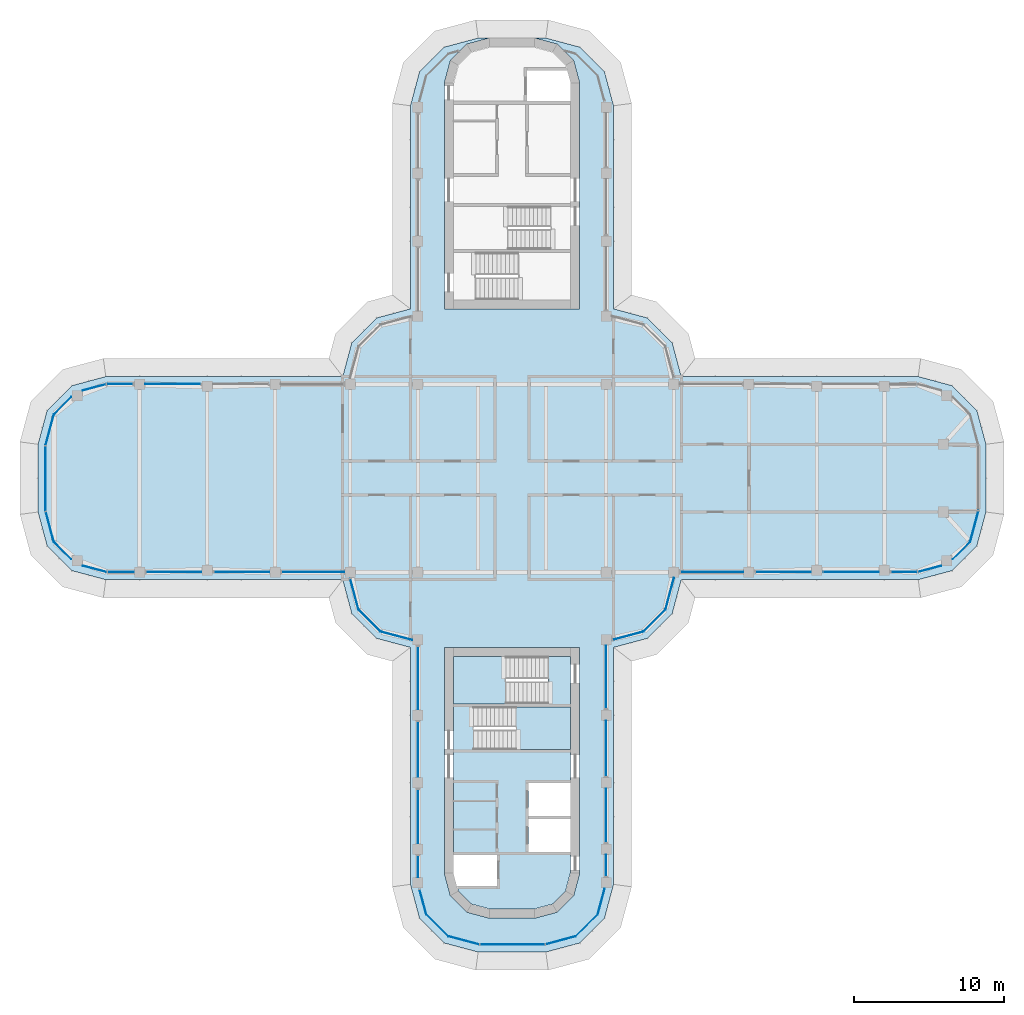
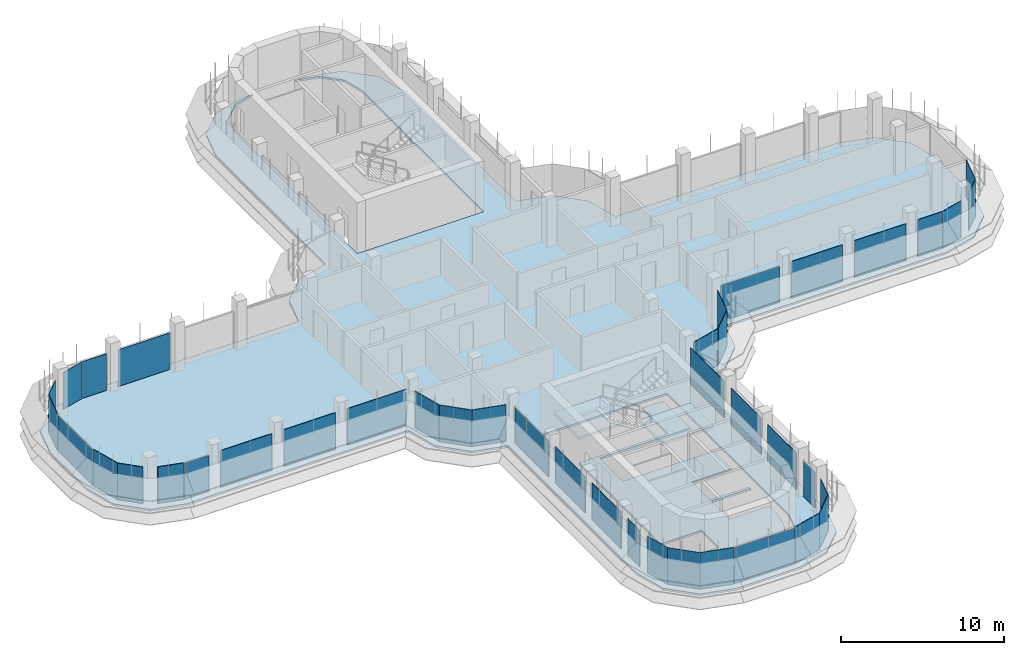
# One storey, part 11 of 19: 41 plates, 4 slabs, 30 elements without a shape of their own.
"""IFC4 building model written with IfcOpenShell, lengths in metres."""

from ifc_helpers import new_model, si_unit, direction, frame, origin, place, context, subcontext, project, spatial, polyline, outline, extrude, source, transform, mapped, material, layer, layer_set, type_object, element, aggregate, save


model = new_model("IFC4")

# Units and contexts
model_context = context("Model", 3, precision=1e-05, world=origin(), true_north=direction((0.0, 1.0)))
body_context = subcontext(model_context, "Body", "Model", "MODEL_VIEW")
ifc_project = project(units=[si_unit("LENGTHUNIT", "METRE"), si_unit("AREAUNIT", "SQUARE_METRE"), si_unit("VOLUMEUNIT", "CUBIC_METRE"), si_unit("PLANEANGLEUNIT", "RADIAN"), si_unit("MASSUNIT", "GRAM", prefix="KILO")], contexts=[model_context])

# Site, building, storey
site_placement = place(None, origin())
site = spatial("IfcSite", under=ifc_project, at=site_placement, CompositionType="ELEMENT")
building_placement = place(site_placement, origin())
building = spatial("IfcBuilding", under=site, at=building_placement, Name="Zarbagh Exchange Tower", CompositionType="ELEMENT")
storey_placement = place(building_placement, frame((0.0, 0.0, 241.0)))
storey = spatial("IfcBuildingStorey", under=building, at=storey_placement, Name="L59", CompositionType="ELEMENT", Elevation=241.0)

# Slabs
ifc_material_1 = material(Name="Concrete C40/50", Category="concrete")
ifc_layer_1 = layer(ifc_material_1, 0.14990234375)
ifc_layer_set_1 = layer_set([ifc_layer_1], Name="Composite floor slab 150 C40/50")
slab_type_1 = type_object("IfcSlabType", Name="Composite floor slab 150 C40/50", PredefinedType="FLOOR", material=ifc_layer_set_1)
slab_1_placement = place(storey_placement, frame((0.0, 0.0, -0.14990234375)))
element("IfcSlab", 1, at=slab_1_placement, inside=storey, type_object=slab_type_1, Name="S5 composite floor slab", PredefinedType="FLOOR", context=body_context, shape_type="SweptSolid", body=[
    extrude(outline(polyline([(-2.25, -31.5), (-4.5, -30.897216796875), (-6.147216796875, -29.25), (-6.75, -27.0), (-6.75, -11.25), (-9.0, -10.647216796875), (-10.647216796875, -9.0), (-11.25, -6.75), (-27.0, -6.75), (-29.25, -6.147216796875), (-30.897216796875, -4.5), (-31.5, -2.25), (-31.5, 2.25), (-30.897216796875, 4.5), (-29.25, 6.147216796875), (-27.0, 6.75), (-11.25, 6.75), (-10.647216796875, 9.0), (-9.0, 10.647216796875), (-6.75, 11.25), (-6.75, 24.75), (-6.147216796875, 27.0), (-4.5, 28.647216796875), (-2.25, 29.25), (-1.5, 29.25), (-3.0, 28.84814453125), (-4.09814453125, 27.75), (-4.5, 26.25), (-4.5, 11.25), (4.5, 11.25), (4.5, 26.25), (4.09814453125, 27.75), (3.0, 28.84814453125), (1.5, 29.25), (2.25, 29.25), (4.5, 28.647216796875), (6.147216796875, 27.0), (6.75, 24.75), (6.75, 11.25), (9.0, 10.647216796875), (10.647216796875, 9.0), (11.25, 6.75), (27.0, 6.75), (29.25, 6.147216796875), (30.897216796875, 4.5), (31.5, 2.25), (31.5, -2.25), (30.897216796875, -4.5), (29.25, -6.147216796875), (27.0, -6.75), (11.25, -6.75), (10.647216796875, -9.0), (9.0, -10.647216796875), (6.75, -11.25), (6.75, -27.0), (6.147216796875, -29.25), (4.5, -30.897216796875), (2.25, -31.5), (-2.25, -31.5)]), holes=[polyline([(-1.5, -29.25), (1.5, -29.25), (3.0, -28.84814453125), (4.09814453125, -27.75), (4.5, -26.25), (4.5, -11.25), (-4.5, -11.25), (-4.5, -26.25), (-4.09814453125, -27.75), (-3.0, -28.84814453125), (-1.5, -29.25)])]), origin(), (0.0, 0.0, 1.0), 0.14990234375),
])
ifc_layer_2 = layer(ifc_material_1, 0.14990234375)
ifc_layer_set_2 = layer_set([ifc_layer_2], Name="Core floor slab 150 C40/50")
slab_type_2 = type_object("IfcSlabType", Name="Core floor slab 150 C40/50", PredefinedType="FLOOR", material=ifc_layer_set_2)
slab_2_placement = place(storey_placement, frame((0.0, 0.0, -0.14990234375)))
element("IfcSlab", 2, at=slab_2_placement, inside=storey, type_object=slab_type_2, Name="S17 core S", PredefinedType="FLOOR", context=body_context, shape_type="SweptSolid", body=[
    extrude(outline(polyline([(-2.689453125, -28.31005859375), (-3.56005859375, -27.439453125), (-3.651123046875, -27.10009765625), (-1.0, -27.10009765625), (-1.0, -25.050048828125), (-3.89990234375, -25.050048828125), (-3.89990234375, -15.0), (2.39990234375, -15.0), (2.39990234375, -11.85009765625), (3.89990234375, -11.85009765625), (3.89990234375, -15.199951171875), (-2.550048828125, -15.199951171875), (-2.550048828125, -18.050048828125), (3.89990234375, -18.050048828125), (3.89990234375, -20.25), (1.10009765625, -20.25), (1.10009765625, -22.449951171875), (3.89990234375, -22.449951171875), (3.89990234375, -22.64990234375), (1.10009765625, -22.64990234375), (1.10009765625, -24.85009765625), (3.89990234375, -24.85009765625), (3.89990234375, -26.1708984375), (3.56005859375, -27.439453125), (2.689453125, -28.31005859375), (1.4208984375, -28.64990234375), (-1.4208984375, -28.64990234375), (-2.689453125, -28.31005859375)])), origin(), (0.0, 0.0, 1.0), 0.14990234375),
])

# Stair, slab
stair_type = type_object("IfcStairType", Name="Exit stair two-flight half-turn", PredefinedType="HALF_TURN_STAIR", material=ifc_material_1)
stair_1_placement = place(storey_placement, origin())
stair_1 = element("IfcStair", 3, at=stair_1_placement, inside=storey, type_object=stair_type, Name="exit stair ST3", PredefinedType="HALF_TURN_STAIR")
ifc_layer_3 = layer(ifc_material_1, 0.199951171875)
ifc_layer_set_3 = layer_set([ifc_layer_3], Name="Stair landing 200 mm")
slab_type_3 = type_object("IfcSlabType", Name="Stair landing 200 mm", PredefinedType="LANDING", material=ifc_layer_set_3)
slab_3_placement = place(storey_placement, frame((0.0, 0.0, 1.699951171875)))
slab_3 = element("IfcSlab", 4, at=slab_3_placement, type_object=slab_type_3, Name="ST3 landing 1", PredefinedType="LANDING", context=body_context, shape_type="SweptSolid", body=[
    extrude(outline(polyline([(0.25, -18.050048828125), (3.89990234375, -18.050048828125), (3.89990234375, -15.199951171875), (0.25, -15.199951171875), (0.25, -18.050048828125)])), origin(), (0.0, 0.0, 1.0), 0.199951171875),
])
aggregate(stair_1, [slab_3])

stair_2_placement = place(storey_placement, origin())
stair_2 = element("IfcStair", 5, at=stair_2_placement, inside=storey, type_object=stair_type, Name="exit stair ST4", PredefinedType="HALF_TURN_STAIR")
slab_4_placement = place(storey_placement, frame((0.0, 0.0, 1.699951171875)))
slab_4 = element("IfcSlab", 6, at=slab_4_placement, type_object=slab_type_3, Name="ST4 landing 1", PredefinedType="LANDING", context=body_context, shape_type="SweptSolid", body=[
    extrude(outline(polyline([(-0.39990234375, -11.85009765625), (-3.89990234375, -11.85009765625), (-3.89990234375, -15.0), (-0.39990234375, -15.0), (-0.39990234375, -11.85009765625)])), origin(), (0.0, 0.0, 1.0), 0.199951171875),
])
aggregate(stair_2, [slab_4])

# Curtain wall, plate
ifc_material_2 = material(Name="Anodised aluminium frame and glazing", Category="aluminium")
curtain_wall_type = type_object("IfcCurtainWallType", Name="CWB Ribbon glazing, upper zones", PredefinedType="NOTDEFINED", material=ifc_material_2)
curtain_wall_1_placement = place(storey_placement, origin())
curtain_wall_1 = element("IfcCurtainWall", 7, at=curtain_wall_1_placement, inside=storey, type_object=curtain_wall_type, Name="CWB50 curtain wall", PredefinedType="NOTDEFINED")
ifc_material_3 = material(Name="Low-e double glazed unit, 6+12+6 mm")
ifc_layer_4 = layer(ifc_material_3, 0.031982421875)
ifc_layer_set_4 = layer_set([ifc_layer_4], Name="PAB Glazing panel, Low-e double glazed unit, 6+12+6 mm")
plate_type = type_object("IfcPlateType", Name="PAB Glazing panel, Low-e double glazed unit, 6+12+6 mm", PredefinedType="CURTAIN_PANEL", material=ifc_layer_set_4)
shared_shape_1 = source(origin(), body_context, "Body", "SweptSolid", [
    extrude(outline(polyline([(0.0, -0.01611328125), (2.061279296875, -0.01611328125), (2.061279296875, 0.01611328125), (0.0, 0.01611328125), (0.0, -0.01611328125)])), origin(), (0.0, 0.0, 1.0), 2.75),
])
placement = place(storey_placement, origin())
plate_1 = element("IfcPlate", 8, at=placement, type_object=plate_type, Name="CWB50 glazing panel 1.1", PredefinedType="CURTAIN_PANEL", context=body_context, shape_type="MappedRepresentation", body=[
    mapped(shared_shape_1, transform((4.2412109375, -30.44873046875, 0.0), x_axis=(0.707106781187, 0.707106781187, 0.0), y_axis=(-0.707106781187, 0.707106781187, 0.0), z_axis=(0.0, 0.0, 1.0))),
])
aggregate(curtain_wall_1, [plate_1])

curtain_wall_2_placement = place(storey_placement, origin())
curtain_wall_2 = element("IfcCurtainWall", 9, at=curtain_wall_2_placement, inside=storey, type_object=curtain_wall_type, Name="CWB06 curtain wall", PredefinedType="NOTDEFINED")
plate_2 = element("IfcPlate", 10, at=placement, type_object=plate_type, Name="CWB06 glazing panel 1.1", PredefinedType="CURTAIN_PANEL", context=body_context, shape_type="MappedRepresentation", body=[
    mapped(shared_shape_1, transform((8.7412109375, -10.19873046875, 0.0), x_axis=(0.707106781187, 0.707106781187, 0.0), y_axis=(-0.707106781187, 0.707106781187, 0.0), z_axis=(0.0, 0.0, 1.0))),
])
aggregate(curtain_wall_2, [plate_2])

curtain_wall_3_placement = place(storey_placement, origin())
curtain_wall_3 = element("IfcCurtainWall", 11, at=curtain_wall_3_placement, inside=storey, type_object=curtain_wall_type, Name="CWB42 curtain wall", PredefinedType="NOTDEFINED")
plate_3 = element("IfcPlate", 12, at=placement, type_object=plate_type, Name="CWB42 glazing panel 1.1", PredefinedType="CURTAIN_PANEL", context=body_context, shape_type="MappedRepresentation", body=[
    mapped(shared_shape_1, transform((-10.19873046875, -8.7412109375, 0.0), x_axis=(0.707106781187, -0.707106781187, 0.0), y_axis=(0.707106781187, 0.707106781187, 0.0), z_axis=(0.0, 0.0, 1.0))),
])
aggregate(curtain_wall_3, [plate_3])

curtain_wall_4_placement = place(storey_placement, origin())
curtain_wall_4 = element("IfcCurtainWall", 13, at=curtain_wall_4_placement, inside=storey, type_object=curtain_wall_type, Name="CWB55 curtain wall", PredefinedType="NOTDEFINED")
plate_4 = element("IfcPlate", 14, at=placement, type_object=plate_type, Name="CWB55 glazing panel 1.1", PredefinedType="CURTAIN_PANEL", context=body_context, shape_type="MappedRepresentation", body=[
    mapped(shared_shape_1, transform((-5.69873046875, -28.9912109375, 0.0), x_axis=(0.707106781187, -0.707106781187, 0.0), y_axis=(0.707106781187, 0.707106781187, 0.0), z_axis=(0.0, 0.0, 1.0))),
])
aggregate(curtain_wall_4, [plate_4])

curtain_wall_5_placement = place(storey_placement, origin())
curtain_wall_5 = element("IfcCurtainWall", 15, at=curtain_wall_5_placement, inside=storey, type_object=curtain_wall_type, Name="CWB11 curtain wall", PredefinedType="NOTDEFINED")
shared_shape_2 = source(origin(), body_context, "Body", "SweptSolid", [
    extrude(outline(polyline([(0.0, -0.01611328125), (2.129638671875, -0.01611328125), (2.129638671875, 0.01611328125), (0.0, 0.01611328125), (0.0, -0.01611328125)])), origin(), (0.0, 0.0, 1.0), 2.75),
])
plate_5 = element("IfcPlate", 16, at=placement, type_object=plate_type, Name="CWB11 glazing panel 1.1", PredefinedType="CURTAIN_PANEL", context=body_context, shape_type="MappedRepresentation", body=[
    mapped(shared_shape_2, transform((30.44873046875, -4.2412109375, 0.0), x_axis=(0.258824779902, 0.965924289636, 0.0), y_axis=(-0.965924289636, 0.258824779902, 0.0), z_axis=(0.0, 0.0, 1.0))),
])
aggregate(curtain_wall_5, [plate_5])

curtain_wall_6_placement = place(storey_placement, origin())
curtain_wall_6 = element("IfcCurtainWall", 17, at=curtain_wall_6_placement, inside=storey, type_object=curtain_wall_type, Name="CWB61 curtain wall", PredefinedType="NOTDEFINED")
plate_6 = element("IfcPlate", 18, at=placement, type_object=plate_type, Name="CWB61 glazing panel 1.1", PredefinedType="CURTAIN_PANEL", context=body_context, shape_type="MappedRepresentation", body=[
    mapped(shared_shape_2, transform((-30.44873046875, 4.2412109375, 0.0), x_axis=(-0.258824779902, -0.965924289636, 0.0), y_axis=(0.965924289636, -0.258824779902, 0.0), z_axis=(0.0, 0.0, 1.0))),
])
aggregate(curtain_wall_6, [plate_6])

curtain_wall_7_placement = place(storey_placement, origin())
curtain_wall_7 = element("IfcCurtainWall", 19, at=curtain_wall_7_placement, inside=storey, type_object=curtain_wall_type, Name="CWB56 curtain wall", PredefinedType="NOTDEFINED")
plate_7 = element("IfcPlate", 20, at=placement, type_object=plate_type, Name="CWB56 glazing panel 1.1", PredefinedType="CURTAIN_PANEL", context=body_context, shape_type="MappedRepresentation", body=[
    mapped(shared_shape_2, transform((-4.2412109375, -30.44873046875, 0.0), x_axis=(0.965924289636, -0.258824779902, 0.0), y_axis=(0.258824779902, 0.965924289636, 0.0), z_axis=(0.0, 0.0, 1.0))),
])
aggregate(curtain_wall_7, [plate_7])

curtain_wall_8_placement = place(storey_placement, origin())
curtain_wall_8 = element("IfcCurtainWall", 21, at=curtain_wall_8_placement, inside=storey, type_object=curtain_wall_type, Name="CWB52 curtain wall", PredefinedType="NOTDEFINED")
shared_shape_3 = source(origin(), body_context, "Body", "SweptSolid", [
    extrude(outline(polyline([(0.0, -0.01611328125), (3.56005859375, -0.01611328125), (3.56005859375, 0.01611328125), (0.0, 0.01611328125), (0.0, -0.01611328125)])), origin(), (0.0, 0.0, 1.0), 2.75),
])
plate_8 = element("IfcPlate", 22, at=placement, type_object=plate_type, Name="CWB52 glazing panel 2.1", PredefinedType="CURTAIN_PANEL", context=body_context, shape_type="MappedRepresentation", body=[
    mapped(shared_shape_3, transform((6.25, -24.199951171875, 0.0), x_axis=(0.0, 1.0, 0.0), y_axis=(-1.0, 0.0, 0.0), z_axis=(0.0, 0.0, 1.0))),
])

curtain_wall_9_placement = place(storey_placement, origin())
curtain_wall_9 = element("IfcCurtainWall", 23, at=curtain_wall_9_placement, inside=storey, type_object=curtain_wall_type, Name="CWB53 curtain wall", PredefinedType="NOTDEFINED")
plate_9 = element("IfcPlate", 24, at=placement, type_object=plate_type, Name="CWB53 glazing panel 3.1", PredefinedType="CURTAIN_PANEL", context=body_context, shape_type="MappedRepresentation", body=[
    mapped(shared_shape_3, transform((-6.25, -20.699951171875, 0.0), x_axis=(0.0, -1.0, 0.0), y_axis=(1.0, 0.0, 0.0), z_axis=(0.0, 0.0, 1.0))),
])

curtain_wall_10_placement = place(storey_placement, origin())
curtain_wall_10 = element("IfcCurtainWall", 25, at=curtain_wall_10_placement, inside=storey, type_object=curtain_wall_type, Name="CWB66 curtain wall", PredefinedType="NOTDEFINED")
shared_shape_4 = source(origin(), body_context, "Body", "SweptSolid", [
    extrude(outline(polyline([(0.0, -0.01611328125), (4.308349609375, -0.01611328125), (4.308349609375, 0.01611328125), (0.0, 0.01611328125), (0.0, -0.01611328125)])), origin(), (0.0, 0.0, 1.0), 2.68994140625),
])
plate_10 = element("IfcPlate", 26, at=placement, type_object=plate_type, Name="CWB66 glazing panel 1.1", PredefinedType="CURTAIN_PANEL", context=body_context, shape_type="MappedRepresentation", body=[
    mapped(shared_shape_4, transform((-31.0, 2.124267578125, 0.0), x_axis=(0.0, -1.0, 0.0), y_axis=(1.0, 0.0, 0.0), z_axis=(0.0, 0.0, 1.0))),
])
aggregate(curtain_wall_10, [plate_10])

curtain_wall_11_placement = place(storey_placement, origin())
curtain_wall_11 = element("IfcCurtainWall", 27, at=curtain_wall_11_placement, inside=storey, type_object=curtain_wall_type, Name="CWB57 curtain wall", PredefinedType="NOTDEFINED")
plate_11 = element("IfcPlate", 28, at=placement, type_object=plate_type, Name="CWB57 glazing panel 1.1", PredefinedType="CURTAIN_PANEL", context=body_context, shape_type="MappedRepresentation", body=[
    mapped(shared_shape_4, transform((-2.124267578125, -31.0, 0.0), x_axis=(1.0, 0.0, 0.0), y_axis=(0.0, 1.0, 0.0), z_axis=(0.0, 0.0, 1.0))),
])
aggregate(curtain_wall_11, [plate_11])

curtain_wall_12_placement = place(storey_placement, origin())
curtain_wall_12 = element("IfcCurtainWall", 29, at=curtain_wall_12_placement, inside=storey, type_object=curtain_wall_type, Name="CWB49 curtain wall", PredefinedType="NOTDEFINED")
shared_shape_5 = source(origin(), body_context, "Body", "SweptSolid", [
    extrude(outline(polyline([(0.0, -0.01611328125), (2.069580078125, -0.01611328125), (2.069580078125, 0.01611328125), (0.0, 0.01611328125), (0.0, -0.01611328125)])), origin(), (0.0, 0.0, 1.0), 2.75),
])
plate_12 = element("IfcPlate", 30, at=placement, type_object=plate_type, Name="CWB49 glazing panel 1.1", PredefinedType="CURTAIN_PANEL", context=body_context, shape_type="MappedRepresentation", body=[
    mapped(shared_shape_5, transform((2.2421875, -30.984375, 0.0), x_axis=(0.965924289636, 0.258824779902, 0.0), y_axis=(-0.258824779902, 0.965924289636, 0.0), z_axis=(0.0, 0.0, 1.0))),
])
aggregate(curtain_wall_12, [plate_12])

curtain_wall_13_placement = place(storey_placement, origin())
curtain_wall_13 = element("IfcCurtainWall", 31, at=curtain_wall_13_placement, inside=storey, type_object=curtain_wall_type, Name="CWB62 curtain wall", PredefinedType="NOTDEFINED")
plate_13 = element("IfcPlate", 32, at=placement, type_object=plate_type, Name="CWB62 glazing panel 1.1", PredefinedType="CURTAIN_PANEL", context=body_context, shape_type="MappedRepresentation", body=[
    mapped(shared_shape_5, transform((-30.984375, -2.2421875, 0.0), x_axis=(0.258824779902, -0.965924289636, 0.0), y_axis=(0.965924289636, 0.258824779902, 0.0), z_axis=(0.0, 0.0, 1.0))),
])
aggregate(curtain_wall_13, [plate_13])

curtain_wall_14_placement = place(storey_placement, origin())
curtain_wall_14 = element("IfcCurtainWall", 33, at=curtain_wall_14_placement, inside=storey, type_object=curtain_wall_type, Name="CWB51 curtain wall", PredefinedType="NOTDEFINED")
shared_shape_6 = source(origin(), body_context, "Body", "SweptSolid", [
    extrude(outline(polyline([(0.0, -0.01611328125), (1.76123046875, -0.01611328125), (1.76123046875, 0.01611328125), (0.0, 0.01611328125), (0.0, -0.01611328125)])), origin(), (0.0, 0.0, 1.0), 2.75),
])
plate_14 = element("IfcPlate", 34, at=placement, type_object=plate_type, Name="CWB51 glazing panel 1.1", PredefinedType="CURTAIN_PANEL", context=body_context, shape_type="MappedRepresentation", body=[
    mapped(shared_shape_6, transform((5.69873046875, -28.9912109375, 0.0), x_axis=(0.258824779902, 0.965924289636, 0.0), y_axis=(-0.965924289636, 0.258824779902, 0.0), z_axis=(0.0, 0.0, 1.0))),
])
aggregate(curtain_wall_14, [plate_14])

# Plate
shared_shape_7 = source(origin(), body_context, "Body", "SweptSolid", [
    extrude(outline(polyline([(0.0, -0.01611328125), (1.409912109375, -0.01611328125), (1.409912109375, 0.01611328125), (0.0, 0.01611328125), (0.0, -0.01611328125)])), origin(), (0.0, 0.0, 1.0), 2.68994140625),
])
plate_15 = element("IfcPlate", 35, at=placement, type_object=plate_type, Name="CWB52 glazing panel 1.1", PredefinedType="CURTAIN_PANEL", context=body_context, shape_type="MappedRepresentation", body=[
    mapped(shared_shape_7, transform((6.25, -26.449951171875, 0.0), x_axis=(0.0, 1.0, 0.0), y_axis=(-1.0, 0.0, 0.0), z_axis=(0.0, 0.0, 1.0))),
])

shared_shape_8 = source(origin(), body_context, "Body", "SweptSolid", [
    extrude(outline(polyline([(0.0, -0.01611328125), (3.659912109375, -0.01611328125), (3.659912109375, 0.01611328125), (0.0, 0.01611328125), (0.0, -0.01611328125)])), origin(), (0.0, 0.0, 1.0), 2.75),
])
plate_16 = element("IfcPlate", 36, at=placement, type_object=plate_type, Name="CWB52 glazing panel 3.1", PredefinedType="CURTAIN_PANEL", context=body_context, shape_type="MappedRepresentation", body=[
    mapped(shared_shape_8, transform((6.25, -19.800048828125, 0.0), x_axis=(0.0, 1.0, 0.0), y_axis=(-1.0, 0.0, 0.0), z_axis=(0.0, 0.0, 1.0))),
])

# Curtain wall, plates
curtain_wall_15_placement = place(storey_placement, origin())
curtain_wall_15 = element("IfcCurtainWall", 37, at=curtain_wall_15_placement, inside=storey, type_object=curtain_wall_type, Name="CWB08 curtain wall", PredefinedType="NOTDEFINED")
plate_17 = element("IfcPlate", 38, at=placement, type_object=plate_type, Name="CWB08 glazing panel 2.1", PredefinedType="CURTAIN_PANEL", context=body_context, shape_type="MappedRepresentation", body=[
    mapped(shared_shape_8, transform((16.199951171875, -6.25, 0.0), x_axis=(1.0, 0.0, 0.0), y_axis=(0.0, 1.0, 0.0), z_axis=(0.0, 0.0, 1.0))),
])
plate_18 = element("IfcPlate", 39, at=placement, type_object=plate_type, Name="CWB08 glazing panel 3.1", PredefinedType="CURTAIN_PANEL", context=body_context, shape_type="MappedRepresentation", body=[
    mapped(shared_shape_8, transform((20.699951171875, -6.25, 0.0), x_axis=(1.0, 0.0, 0.0), y_axis=(0.0, 1.0, 0.0), z_axis=(0.0, 0.0, 1.0))),
])

# Curtain wall, plate
curtain_wall_16_placement = place(storey_placement, origin())
curtain_wall_16 = element("IfcCurtainWall", 40, at=curtain_wall_16_placement, inside=storey, type_object=curtain_wall_type, Name="CWB58 curtain wall", PredefinedType="NOTDEFINED")
plate_19 = element("IfcPlate", 41, at=placement, type_object=plate_type, Name="CWB58 glazing panel 3.1", PredefinedType="CURTAIN_PANEL", context=body_context, shape_type="MappedRepresentation", body=[
    mapped(shared_shape_8, transform((-20.699951171875, 6.25, 0.0), x_axis=(-1.0, 0.0, 0.0), y_axis=(0.0, -1.0, 0.0), z_axis=(0.0, 0.0, 1.0))),
])

# Curtain wall, plates
curtain_wall_17_placement = place(storey_placement, origin())
curtain_wall_17 = element("IfcCurtainWall", 42, at=curtain_wall_17_placement, inside=storey, type_object=curtain_wall_type, Name="CWB65 curtain wall", PredefinedType="NOTDEFINED")
plate_20 = element("IfcPlate", 43, at=placement, type_object=plate_type, Name="CWB65 glazing panel 2.1", PredefinedType="CURTAIN_PANEL", context=body_context, shape_type="MappedRepresentation", body=[
    mapped(shared_shape_8, transform((-24.300048828125, -6.25, 0.0), x_axis=(1.0, 0.0, 0.0), y_axis=(0.0, 1.0, 0.0), z_axis=(0.0, 0.0, 1.0))),
])
plate_21 = element("IfcPlate", 44, at=placement, type_object=plate_type, Name="CWB65 glazing panel 3.1", PredefinedType="CURTAIN_PANEL", context=body_context, shape_type="MappedRepresentation", body=[
    mapped(shared_shape_8, transform((-19.800048828125, -6.25, 0.0), x_axis=(1.0, 0.0, 0.0), y_axis=(0.0, 1.0, 0.0), z_axis=(0.0, 0.0, 1.0))),
])

# Plate
plate_22 = element("IfcPlate", 45, at=placement, type_object=plate_type, Name="CWB53 glazing panel 2.1", PredefinedType="CURTAIN_PANEL", context=body_context, shape_type="MappedRepresentation", body=[
    mapped(shared_shape_8, transform((-6.25, -16.199951171875, 0.0), x_axis=(0.0, -1.0, 0.0), y_axis=(1.0, 0.0, 0.0), z_axis=(0.0, 0.0, 1.0))),
])

shared_shape_9 = source(origin(), body_context, "Body", "SweptSolid", [
    extrude(outline(polyline([(0.0, -0.01611328125), (4.159912109375, -0.01611328125), (4.159912109375, 0.01611328125), (0.0, 0.01611328125), (0.0, -0.01611328125)])), origin(), (0.0, 0.0, 1.0), 2.75),
])
plate_23 = element("IfcPlate", 46, at=placement, type_object=plate_type, Name="CWB52 glazing panel 4.1", PredefinedType="CURTAIN_PANEL", context=body_context, shape_type="MappedRepresentation", body=[
    mapped(shared_shape_9, transform((6.25, -15.300048828125, 0.0), x_axis=(0.0, 1.0, 0.0), y_axis=(-1.0, 0.0, 0.0), z_axis=(0.0, 0.0, 1.0))),
])

aggregate(curtain_wall_8, [plate_15, plate_8, plate_16, plate_23])

plate_24 = element("IfcPlate", 47, at=placement, type_object=plate_type, Name="CWB65 glazing panel 4.1", PredefinedType="CURTAIN_PANEL", context=body_context, shape_type="MappedRepresentation", body=[
    mapped(shared_shape_9, transform((-15.300048828125, -6.25, 0.0), x_axis=(1.0, 0.0, 0.0), y_axis=(0.0, 1.0, 0.0), z_axis=(0.0, 0.0, 1.0))),
])

# Curtain wall, plate
curtain_wall_18_placement = place(storey_placement, origin())
curtain_wall_18 = element("IfcCurtainWall", 48, at=curtain_wall_18_placement, inside=storey, type_object=curtain_wall_type, Name="CWB05 curtain wall", PredefinedType="NOTDEFINED")
shared_shape_10 = source(origin(), body_context, "Body", "SweptSolid", [
    extrude(outline(polyline([(0.0, -0.01611328125), (2.115234375, -0.01611328125), (2.115234375, 0.01611328125), (0.0, 0.01611328125), (0.0, -0.01611328125)])), origin(), (0.0, 0.0, 1.0), 2.75),
])
plate_25 = element("IfcPlate", 49, at=placement, type_object=plate_type, Name="CWB05 glazing panel 1.1", PredefinedType="CURTAIN_PANEL", context=body_context, shape_type="MappedRepresentation", body=[
    mapped(shared_shape_10, transform((6.697998046875, -10.746337890625, 0.0), x_axis=(0.965924289636, 0.258824779902, 0.0), y_axis=(-0.258824779902, 0.965924289636, 0.0), z_axis=(0.0, 0.0, 1.0))),
])
aggregate(curtain_wall_18, [plate_25])

curtain_wall_19_placement = place(storey_placement, origin())
curtain_wall_19 = element("IfcCurtainWall", 50, at=curtain_wall_19_placement, inside=storey, type_object=curtain_wall_type, Name="CWB41 curtain wall", PredefinedType="NOTDEFINED")
plate_26 = element("IfcPlate", 51, at=placement, type_object=plate_type, Name="CWB41 glazing panel 1.1", PredefinedType="CURTAIN_PANEL", context=body_context, shape_type="MappedRepresentation", body=[
    mapped(shared_shape_10, transform((-10.746337890625, -6.697998046875, 0.0), x_axis=(0.258824779902, -0.965924289636, 0.0), y_axis=(0.965924289636, 0.258824779902, 0.0), z_axis=(0.0, 0.0, 1.0))),
])
aggregate(curtain_wall_19, [plate_26])

curtain_wall_20_placement = place(storey_placement, origin())
curtain_wall_20 = element("IfcCurtainWall", 52, at=curtain_wall_20_placement, inside=storey, type_object=curtain_wall_type, Name="CWB07 curtain wall", PredefinedType="NOTDEFINED")
shared_shape_11 = source(origin(), body_context, "Body", "SweptSolid", [
    extrude(outline(polyline([(0.0, -0.01611328125), (2.17529296875, -0.01611328125), (2.17529296875, 0.01611328125), (0.0, 0.01611328125), (0.0, -0.01611328125)])), origin(), (0.0, 0.0, 1.0), 2.75),
])
plate_27 = element("IfcPlate", 53, at=placement, type_object=plate_type, Name="CWB07 glazing panel 1.1", PredefinedType="CURTAIN_PANEL", context=body_context, shape_type="MappedRepresentation", body=[
    mapped(shared_shape_11, transform((10.19873046875, -8.7412109375, 0.0), x_axis=(0.258824779902, 0.965924289636, 0.0), y_axis=(-0.965924289636, 0.258824779902, 0.0), z_axis=(0.0, 0.0, 1.0))),
])
aggregate(curtain_wall_20, [plate_27])

curtain_wall_21_placement = place(storey_placement, origin())
curtain_wall_21 = element("IfcCurtainWall", 54, at=curtain_wall_21_placement, inside=storey, type_object=curtain_wall_type, Name="CWB43 curtain wall", PredefinedType="NOTDEFINED")
plate_28 = element("IfcPlate", 55, at=placement, type_object=plate_type, Name="CWB43 glazing panel 1.1", PredefinedType="CURTAIN_PANEL", context=body_context, shape_type="MappedRepresentation", body=[
    mapped(shared_shape_11, transform((-8.7412109375, -10.19873046875, 0.0), x_axis=(0.965924289636, -0.258824779902, 0.0), y_axis=(0.258824779902, 0.965924289636, 0.0), z_axis=(0.0, 0.0, 1.0))),
])
aggregate(curtain_wall_21, [plate_28])

# Plate
shared_shape_12 = source(origin(), body_context, "Body", "SweptSolid", [
    extrude(outline(polyline([(0.0, -0.01611328125), (4.159912109375, -0.01611328125), (4.159912109375, 0.01611328125), (0.0, 0.01611328125), (0.0, -0.01611328125)])), origin(), (0.0, 0.0, 1.0), 2.68994140625),
])
plate_29 = element("IfcPlate", 56, at=placement, type_object=plate_type, Name="CWB08 glazing panel 1.1", PredefinedType="CURTAIN_PANEL", context=body_context, shape_type="MappedRepresentation", body=[
    mapped(shared_shape_12, transform((11.199951171875, -6.25, 0.0), x_axis=(1.0, 0.0, 0.0), y_axis=(0.0, 1.0, 0.0), z_axis=(0.0, 0.0, 1.0))),
])

plate_30 = element("IfcPlate", 57, at=placement, type_object=plate_type, Name="CWB53 glazing panel 1.1", PredefinedType="CURTAIN_PANEL", context=body_context, shape_type="MappedRepresentation", body=[
    mapped(shared_shape_12, transform((-6.25, -11.199951171875, 0.0), x_axis=(0.0, -1.0, 0.0), y_axis=(1.0, 0.0, 0.0), z_axis=(0.0, 0.0, 1.0))),
])

shared_shape_13 = source(origin(), body_context, "Body", "SweptSolid", [
    extrude(outline(polyline([(0.0, -0.01611328125), (1.734130859375, -0.01611328125), (1.734130859375, 0.01611328125), (0.0, 0.01611328125), (0.0, -0.01611328125)])), origin(), (0.0, 0.0, 1.0), 2.75),
])
plate_31 = element("IfcPlate", 58, at=placement, type_object=plate_type, Name="CWB08 glazing panel 4.1", PredefinedType="CURTAIN_PANEL", context=body_context, shape_type="MappedRepresentation", body=[
    mapped(shared_shape_13, transform((25.199951171875, -6.25, 0.0), x_axis=(1.0, 0.0, 0.0), y_axis=(0.0, 1.0, 0.0), z_axis=(0.0, 0.0, 1.0))),
])

aggregate(curtain_wall_15, [plate_29, plate_17, plate_18, plate_31])

plate_32 = element("IfcPlate", 59, at=placement, type_object=plate_type, Name="CWB58 glazing panel 4.1", PredefinedType="CURTAIN_PANEL", context=body_context, shape_type="MappedRepresentation", body=[
    mapped(shared_shape_13, transform((-25.199951171875, 6.25, 0.0), x_axis=(-1.0, 0.0, 0.0), y_axis=(0.0, -1.0, 0.0), z_axis=(0.0, 0.0, 1.0))),
])

aggregate(curtain_wall_16, [plate_19, plate_32])

# Curtain wall, plate
curtain_wall_22_placement = place(storey_placement, origin())
curtain_wall_22 = element("IfcCurtainWall", 60, at=curtain_wall_22_placement, inside=storey, type_object=curtain_wall_type, Name="CWB09 curtain wall", PredefinedType="NOTDEFINED")
shared_shape_14 = source(origin(), body_context, "Body", "SweptSolid", [
    extrude(outline(polyline([(0.0, -0.01611328125), (1.57958984375, -0.01611328125), (1.57958984375, 0.01611328125), (0.0, 0.01611328125), (0.0, -0.01611328125)])), origin(), (0.0, 0.0, 1.0), 2.75),
])
plate_33 = element("IfcPlate", 61, at=placement, type_object=plate_type, Name="CWB09 glazing panel 1.1", PredefinedType="CURTAIN_PANEL", context=body_context, shape_type="MappedRepresentation", body=[
    mapped(shared_shape_14, transform((26.9921875, -6.234375, 0.0), x_axis=(0.965924289636, 0.258824779902, 0.0), y_axis=(-0.258824779902, 0.965924289636, 0.0), z_axis=(0.0, 0.0, 1.0))),
])
aggregate(curtain_wall_22, [plate_33])

curtain_wall_23_placement = place(storey_placement, origin())
curtain_wall_23 = element("IfcCurtainWall", 62, at=curtain_wall_23_placement, inside=storey, type_object=curtain_wall_type, Name="CWB59 curtain wall", PredefinedType="NOTDEFINED")
plate_34 = element("IfcPlate", 63, at=placement, type_object=plate_type, Name="CWB59 glazing panel 1.1", PredefinedType="CURTAIN_PANEL", context=body_context, shape_type="MappedRepresentation", body=[
    mapped(shared_shape_14, transform((-26.9921875, 6.234375, 0.0), x_axis=(-0.965924289636, -0.258824779902, 0.0), y_axis=(0.258824779902, -0.965924289636, 0.0), z_axis=(0.0, 0.0, 1.0))),
])
aggregate(curtain_wall_23, [plate_34])

curtain_wall_24_placement = place(storey_placement, origin())
curtain_wall_24 = element("IfcCurtainWall", 64, at=curtain_wall_24_placement, inside=storey, type_object=curtain_wall_type, Name="CWB10 curtain wall", PredefinedType="NOTDEFINED")
shared_shape_15 = source(origin(), body_context, "Body", "SweptSolid", [
    extrude(outline(polyline([(0.0, -0.01611328125), (1.62744140625, -0.01611328125), (1.62744140625, 0.01611328125), (0.0, 0.01611328125), (0.0, -0.01611328125)])), origin(), (0.0, 0.0, 1.0), 2.75),
])
plate_35 = element("IfcPlate", 65, at=placement, type_object=plate_type, Name="CWB10 glazing panel 1.1", PredefinedType="CURTAIN_PANEL", context=body_context, shape_type="MappedRepresentation", body=[
    mapped(shared_shape_15, transform((29.298095703125, -5.39208984375, 0.0), x_axis=(0.707106781187, 0.707106781187, 0.0), y_axis=(-0.707106781187, 0.707106781187, 0.0), z_axis=(0.0, 0.0, 1.0))),
])
aggregate(curtain_wall_24, [plate_35])

curtain_wall_25_placement = place(storey_placement, origin())
curtain_wall_25 = element("IfcCurtainWall", 66, at=curtain_wall_25_placement, inside=storey, type_object=curtain_wall_type, Name="CWB60 curtain wall", PredefinedType="NOTDEFINED")
plate_36 = element("IfcPlate", 67, at=placement, type_object=plate_type, Name="CWB60 glazing panel 1.1", PredefinedType="CURTAIN_PANEL", context=body_context, shape_type="MappedRepresentation", body=[
    mapped(shared_shape_15, transform((-29.298095703125, 5.39208984375, 0.0), x_axis=(-0.707106781187, -0.707106781187, 0.0), y_axis=(0.707106781187, -0.707106781187, 0.0), z_axis=(0.0, 0.0, 1.0))),
])
aggregate(curtain_wall_25, [plate_36])

curtain_wall_26_placement = place(storey_placement, origin())
curtain_wall_26 = element("IfcCurtainWall", 68, at=curtain_wall_26_placement, inside=storey, type_object=curtain_wall_type, Name="CWB63 curtain wall", PredefinedType="NOTDEFINED")
plate_37 = element("IfcPlate", 69, at=placement, type_object=plate_type, Name="CWB63 glazing panel 1.1", PredefinedType="CURTAIN_PANEL", context=body_context, shape_type="MappedRepresentation", body=[
    mapped(shared_shape_15, transform((-30.44873046875, -4.2412109375, 0.0), x_axis=(0.707106781187, -0.707106781187, 0.0), y_axis=(0.707106781187, 0.707106781187, 0.0), z_axis=(0.0, 0.0, 1.0))),
])
aggregate(curtain_wall_26, [plate_37])

curtain_wall_27_placement = place(storey_placement, origin())
curtain_wall_27 = element("IfcCurtainWall", 70, at=curtain_wall_27_placement, inside=storey, type_object=curtain_wall_type, Name="CWB64 curtain wall", PredefinedType="NOTDEFINED")
shared_shape_16 = source(origin(), body_context, "Body", "SweptSolid", [
    extrude(outline(polyline([(0.0, -0.01611328125), (1.6396484375, -0.01611328125), (1.6396484375, 0.01611328125), (0.0, 0.01611328125), (0.0, -0.01611328125)])), origin(), (0.0, 0.0, 1.0), 2.75),
])
plate_38 = element("IfcPlate", 71, at=placement, type_object=plate_type, Name="CWB64 glazing panel 1.1", PredefinedType="CURTAIN_PANEL", context=body_context, shape_type="MappedRepresentation", body=[
    mapped(shared_shape_16, transform((-28.51806640625, -5.82568359375, 0.0), x_axis=(0.965924289636, -0.258824779902, 0.0), y_axis=(0.258824779902, 0.965924289636, 0.0), z_axis=(0.0, 0.0, 1.0))),
])
aggregate(curtain_wall_27, [plate_38])

# Plate
shared_shape_17 = source(origin(), body_context, "Body", "SweptSolid", [
    extrude(outline(polyline([(0.0, -0.01611328125), (1.734130859375, -0.01611328125), (1.734130859375, 0.01611328125), (0.0, 0.01611328125), (0.0, -0.01611328125)])), origin(), (0.0, 0.0, 1.0), 2.68994140625),
])
plate_39 = element("IfcPlate", 72, at=placement, type_object=plate_type, Name="CWB65 glazing panel 1.1", PredefinedType="CURTAIN_PANEL", context=body_context, shape_type="MappedRepresentation", body=[
    mapped(shared_shape_17, transform((-26.874267578125, -6.25, 0.0), x_axis=(1.0, 0.0, 0.0), y_axis=(0.0, 1.0, 0.0), z_axis=(0.0, 0.0, 1.0))),
])

aggregate(curtain_wall_17, [plate_39, plate_20, plate_21, plate_24])

shared_shape_18 = source(origin(), body_context, "Body", "SweptSolid", [
    extrude(outline(polyline([(0.0, -0.01611328125), (1.409912109375, -0.01611328125), (1.409912109375, 0.01611328125), (0.0, 0.01611328125), (0.0, -0.01611328125)])), origin(), (0.0, 0.0, 1.0), 2.75),
])
plate_40 = element("IfcPlate", 73, at=placement, type_object=plate_type, Name="CWB53 glazing panel 4.1", PredefinedType="CURTAIN_PANEL", context=body_context, shape_type="MappedRepresentation", body=[
    mapped(shared_shape_18, transform((-6.25, -25.10009765625, 0.0), x_axis=(0.0, -1.0, 0.0), y_axis=(1.0, 0.0, 0.0), z_axis=(0.0, 0.0, 1.0))),
])

aggregate(curtain_wall_9, [plate_30, plate_22, plate_9, plate_40])

# Curtain wall, plate
curtain_wall_28_placement = place(storey_placement, origin())
curtain_wall_28 = element("IfcCurtainWall", 74, at=curtain_wall_28_placement, inside=storey, type_object=curtain_wall_type, Name="CWB54 curtain wall", PredefinedType="NOTDEFINED")
shared_shape_19 = source(origin(), body_context, "Body", "SweptSolid", [
    extrude(outline(polyline([(0.0, -0.01611328125), (1.701171875, -0.01611328125), (1.701171875, 0.01611328125), (0.0, 0.01611328125), (0.0, -0.01611328125)])), origin(), (0.0, 0.0, 1.0), 2.75),
])
plate_41 = element("IfcPlate", 75, at=placement, type_object=plate_type, Name="CWB54 glazing panel 1.1", PredefinedType="CURTAIN_PANEL", context=body_context, shape_type="MappedRepresentation", body=[
    mapped(shared_shape_19, transform((-6.13916015625, -27.347900390625, 0.0), x_axis=(0.258824779902, -0.965924289636, 0.0), y_axis=(0.965924289636, 0.258824779902, 0.0), z_axis=(0.0, 0.0, 1.0))),
])
aggregate(curtain_wall_28, [plate_41])

save(model, "model.ifc")
